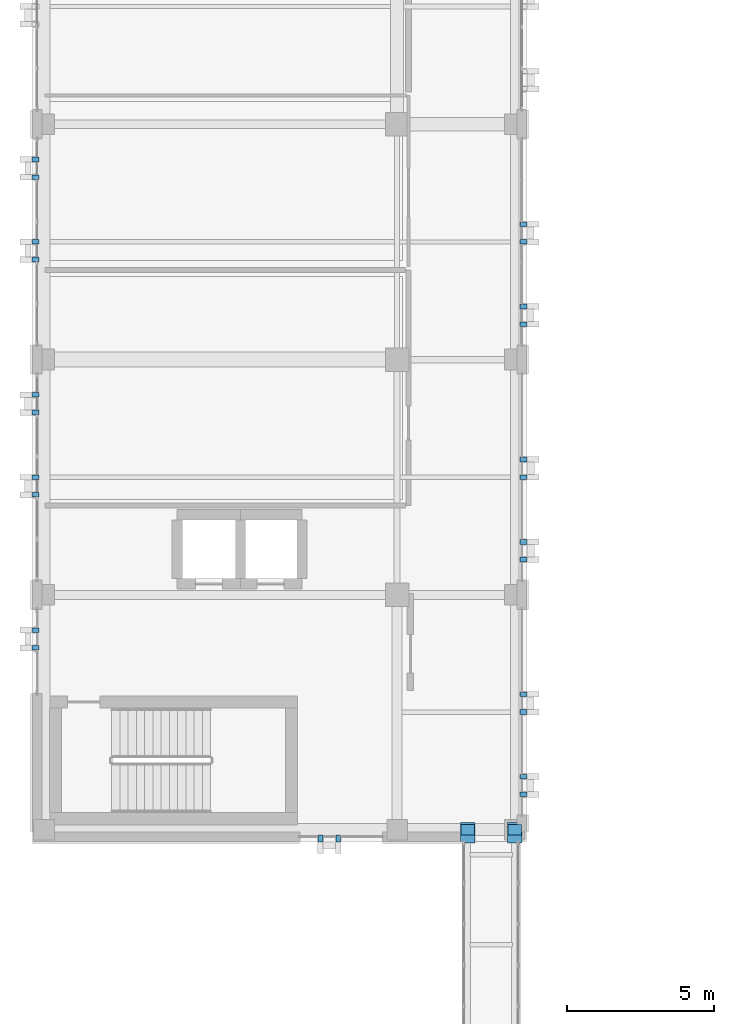
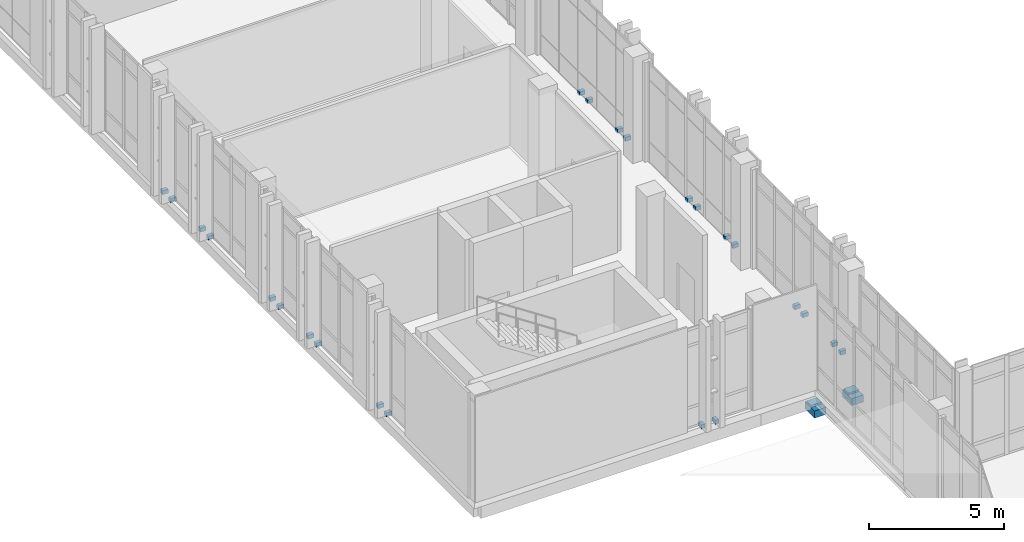
# One storey, part 162 of 189: 28 discrete accessories.
"""IFC4 building model written with IfcOpenShell, lengths in metres."""

from ifc_helpers import new_model, si_unit, direction, frame, origin, origin_2d, place, context, subcontext, project, spatial, rectangle, extrude, material, type_object, element, save


model = new_model("IFC4")

# Units and contexts
model_context = context("Model", 3, precision=1e-05, world=origin(), true_north=direction((0.0, 1.0)))
body_context = subcontext(model_context, "Body", "Model", "MODEL_VIEW")
ifc_project = project(units=[si_unit("LENGTHUNIT", "METRE"), si_unit("AREAUNIT", "SQUARE_METRE"), si_unit("VOLUMEUNIT", "CUBIC_METRE"), si_unit("PLANEANGLEUNIT", "RADIAN"), si_unit("MASSUNIT", "GRAM", prefix="KILO")], contexts=[model_context])

# Site, building, storey
site_placement = place(None, origin())
site = spatial("IfcSite", under=ifc_project, at=site_placement, CompositionType="ELEMENT")
building_placement = place(site_placement, origin())
building = spatial("IfcBuilding", under=site, at=building_placement, Name="Qalavern Law Courts", CompositionType="ELEMENT")
storey_placement = place(building_placement, frame((0.0, 0.0, 5.39990234375)))
storey = spatial("IfcBuildingStorey", under=building, at=storey_placement, Name="L01", CompositionType="ELEMENT", Elevation=5.39990234375)

# Discrete accessories
ifc_material_1 = material(Name="Steel S355", Category="steel")
discrete_accessory_type_1 = type_object("IfcDiscreteAccessoryType", Name="ENV-BRK-FIN", PredefinedType="BRACKET", material=ifc_material_1)
for number, where, z_axis, x_axis, name in (
    (1, (11.800048828125, 41.12255859375, -0.06982421875), (0.0, 0.0, 1.0), (0.0, -1.0, 0.0), "Stone blade anchor bracket 0195"),
    (2, (12.39990234375, 41.12255859375, -0.06982421875), (0.0, 0.0, 1.0), (0.0, -1.0, 0.0), "Stone blade anchor bracket 0196"),
    (3, (18.697509765625, 42.6201171875, -0.06982421875), (0.0, 0.0, 1.0), (1.0, 0.0, 0.0), "Stone blade anchor bracket 0197"),
    (4, (18.697509765625, 43.219970703125, -0.06982421875), (0.0, 0.0, 1.0), (1.0, 0.0, 0.0), "Stone blade anchor bracket 0198"),
    (5, (18.697509765625, 45.419921875, -0.06982421875), (0.0, 0.0, 1.0), (1.0, 0.0, 0.0), "Stone blade anchor bracket 0199"),
    (6, (18.697509765625, 46.02001953125, -0.06982421875), (0.0, 0.0, 1.0), (1.0, 0.0, 0.0), "Stone blade anchor bracket 0200"),
    (7, (18.697509765625, 50.60009765625, -0.06982421875), (0.0, 0.0, 1.0), (1.0, 0.0, 0.0), "Stone blade anchor bracket 0201"),
    (8, (18.697509765625, 51.199951171875, -0.06982421875), (0.0, 0.0, 1.0), (1.0, 0.0, 0.0), "Stone blade anchor bracket 0202"),
    (9, (18.697509765625, 53.39990234375, -0.06982421875), (0.0, 0.0, 1.0), (1.0, 0.0, 0.0), "Stone blade anchor bracket 0203"),
    (10, (18.697509765625, 54.0, -0.06982421875), (0.0, 0.0, 1.0), (1.0, 0.0, 0.0), "Stone blade anchor bracket 0204"),
    (11, (18.697509765625, 58.60009765625, -0.06982421875), (0.0, 0.0, 1.0), (1.0, 0.0, 0.0), "Stone blade anchor bracket 0205"),
    (12, (18.697509765625, 59.199951171875, -0.06982421875), (0.0, 0.0, 1.0), (1.0, 0.0, 0.0), "Stone blade anchor bracket 0206"),
    (13, (18.697509765625, 61.39990234375, -0.06982421875), (0.0, 0.0, 1.0), (1.0, 0.0, 0.0), "Stone blade anchor bracket 0207"),
    (14, (18.697509765625, 62.0, -0.06982421875), (0.0, 0.0, 1.0), (1.0, 0.0, 0.0), "Stone blade anchor bracket 0208"),
    (15, (2.1025390625, 64.199951171875, -0.06982421875), (0.0, 0.0, 1.0), (-1.0, 0.0, 0.0), "Stone blade anchor bracket 0237"),
    (16, (2.1025390625, 63.60009765625, -0.06982421875), (0.0, 0.0, 1.0), (-1.0, 0.0, 0.0), "Stone blade anchor bracket 0238"),
    (17, (2.1025390625, 61.39990234375, -0.06982421875), (0.0, 0.0, 1.0), (-1.0, 0.0, 0.0), "Stone blade anchor bracket 0239"),
    (18, (2.1025390625, 60.800048828125, -0.06982421875), (0.0, 0.0, 1.0), (-1.0, 0.0, 0.0), "Stone blade anchor bracket 0240"),
    (19, (2.1025390625, 56.199951171875, -0.06982421875), (0.0, 0.0, 1.0), (-1.0, 0.0, 0.0), "Stone blade anchor bracket 0241"),
    (20, (2.1025390625, 55.60009765625, -0.06982421875), (0.0, 0.0, 1.0), (-1.0, 0.0, 0.0), "Stone blade anchor bracket 0242"),
    (21, (2.1025390625, 53.39990234375, -0.06982421875), (0.0, 0.0, 1.0), (-1.0, 0.0, 0.0), "Stone blade anchor bracket 0243"),
    (22, (2.1025390625, 52.800048828125, -0.06982421875), (0.0, 0.0, 1.0), (-1.0, 0.0, 0.0), "Stone blade anchor bracket 0244"),
    (23, (2.1025390625, 48.199951171875, -0.06982421875), (0.0, 0.0, 1.0), (-1.0, 0.0, 0.0), "Stone blade anchor bracket 0245"),
    (24, (2.1025390625, 47.60009765625, -0.06982421875), (0.0, 0.0, 1.0), (-1.0, 0.0, 0.0), "Stone blade anchor bracket 0246"),
):
    element("IfcDiscreteAccessory", number, at=place(storey_placement, frame(where, z_axis=z_axis, x_axis=x_axis)), inside=storey, type_object=discrete_accessory_type_1, Name=name, PredefinedType="BRACKET", context=body_context, shape_type="SweptSolid", body=[
        extrude(rectangle(XDim=0.239990234375, YDim=0.159912109375, at=origin_2d()), origin(), (0.0, 0.0, 1.0), 0.179931640625),
    ])
ifc_material_2 = material(Name="Concrete C45/55", Category="concrete")
discrete_accessory_type_2 = type_object("IfcDiscreteAccessoryType", Name="STR-CORBEL-700", PredefinedType="BRACKET", material=ifc_material_2)
for number, where, z_axis, x_axis, name in (
    (25, (16.800048828125, 41.320068359375, -1.25), (0.0, 0.0, 1.0), (1.0, 0.0, 0.0), "Bridge BR-V1-V3 700 mm corbel seat 1 L01"),
    (26, (18.39990234375, 41.320068359375, -1.25), (0.0, 0.0, 1.0), (1.0, 0.0, 0.0), "Bridge BR-V1-V3 700 mm corbel seat 2 L01"),
):
    element("IfcDiscreteAccessory", number, at=place(storey_placement, frame(where, z_axis=z_axis, x_axis=x_axis)), inside=storey, type_object=discrete_accessory_type_2, Name=name, PredefinedType="BRACKET", context=body_context, shape_type="SweptSolid", body=[
        extrude(rectangle(XDim=0.5, YDim=0.699951171875, at=origin_2d()), origin(), (0.0, 0.0, 1.0), 0.320068359375),
    ])
discrete_accessory_type_3 = type_object("IfcDiscreteAccessoryType", Name="STR-SHOE-PTFE350", PredefinedType="SHOE", material=ifc_material_1)
for number, where, z_axis, x_axis, name in (
    (27, (16.800048828125, 41.419921875, -0.929931640625), (0.0, 0.0, 1.0), (1.0, 0.0, 0.0), "Seismic bridge PTFE sliding bearing 25"),
    (28, (18.39990234375, 41.419921875, -0.929931640625), (0.0, 0.0, 1.0), (1.0, 0.0, 0.0), "Seismic bridge PTFE sliding bearing 26"),
):
    element("IfcDiscreteAccessory", number, at=place(storey_placement, frame(where, z_axis=z_axis, x_axis=x_axis)), inside=storey, type_object=discrete_accessory_type_3, Name=name, PredefinedType="SHOE", context=body_context, shape_type="SweptSolid", body=[
        extrude(rectangle(XDim=0.449951171875, YDim=0.35009765625, at=origin_2d()), origin(), (0.0, 0.0, 1.0), 0.080078125),
    ])

save(model, "model.ifc")
